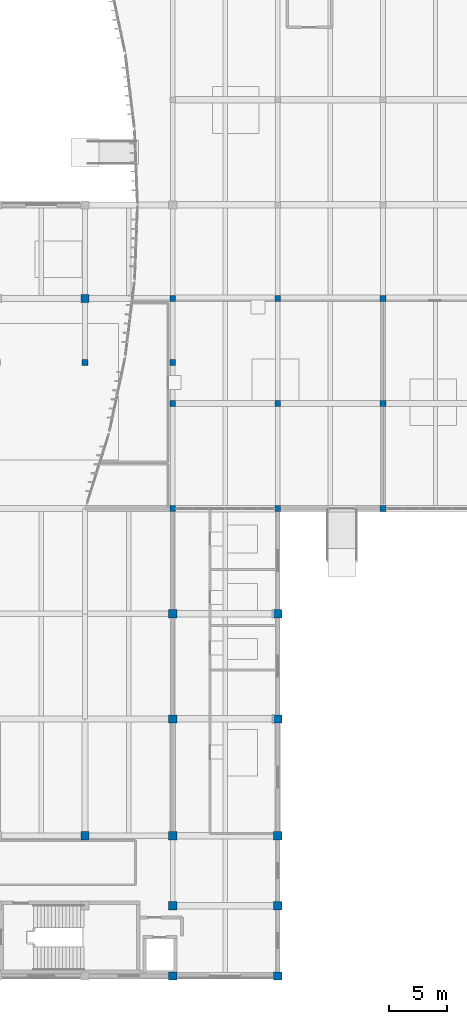
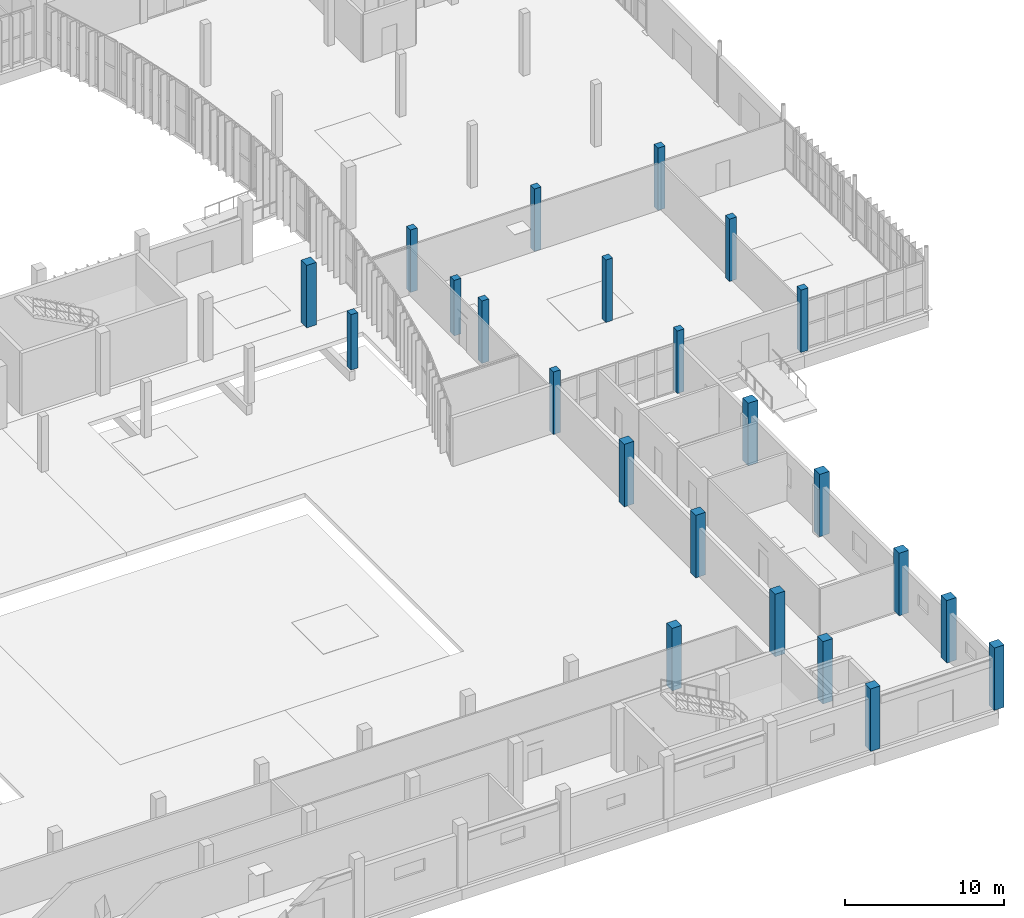
# One storey, part 2 of 72: 23 columns.
"""IFC4 building model written with IfcOpenShell, lengths in metres."""

from ifc_helpers import new_model, si_unit, direction, frame, origin, origin_2d, place, context, subcontext, project, spatial, rectangle, extrude, material, material_profile, profile_set, type_object, element, save


model = new_model("IFC4")

# Units and contexts
model_context = context("Model", 3, precision=1e-05, world=origin(), true_north=direction((0.0, 1.0)))
body_context = subcontext(model_context, "Body", "Model", "MODEL_VIEW")
ifc_project = project(units=[si_unit("LENGTHUNIT", "METRE"), si_unit("AREAUNIT", "SQUARE_METRE"), si_unit("VOLUMEUNIT", "CUBIC_METRE"), si_unit("PLANEANGLEUNIT", "RADIAN"), si_unit("MASSUNIT", "GRAM", prefix="KILO")], contexts=[model_context])

# Site, building, storey
site_placement = place(None, origin())
site = spatial("IfcSite", under=ifc_project, at=site_placement, CompositionType="ELEMENT")
building_placement = place(site_placement, origin())
building = spatial("IfcBuilding", under=site, at=building_placement, Name="Vourika Railside Aquatics Centre", CompositionType="ELEMENT")
storey_placement = place(building_placement, origin())
storey = spatial("IfcBuildingStorey", under=building, at=storey_placement, Name="L00", CompositionType="ELEMENT", Elevation=0.0)

# Columns
ifc_material_1 = material(Name="Concrete C35/45", Category="concrete")
ifc_material_profile_1 = material_profile(ifc_material_1, rectangle(XDim=0.5, YDim=0.5, at=origin_2d()), Name="RC 500x500")
ifc_profile_set_1 = profile_set([ifc_material_profile_1], Name="Concrete C35/45")
column_type_1 = type_object("IfcColumnType", Name="COL-RC500", PredefinedType="COLUMN", material=ifc_profile_set_1)
for number, where, z_axis, x_axis, name in (
    (1, (141.0, 40.0, 0.0), (0.0, 0.0, 1.0), (1.0, 0.0, 0.0), "Column col:L00:1410_400"),
    (2, (141.0, 49.0, 0.0), (0.0, 0.0, 1.0), (1.0, 0.0, 0.0), "Column col:L00:1410_490"),
    (3, (141.0, 58.0, 0.0), (0.0, 0.0, 1.0), (1.0, 0.0, 0.0), "Column col:L00:1410_580"),
    (4, (150.0, 40.0, 0.0), (0.0, 0.0, 1.0), (1.0, 0.0, 0.0), "Column col:L00:1500_400"),
    (5, (150.0, 49.0, 0.0), (0.0, 0.0, 1.0), (1.0, 0.0, 0.0), "Column col:L00:1500_490"),
    (6, (150.0, 58.0, 0.0), (0.0, 0.0, 1.0), (1.0, 0.0, 0.0), "Column col:L00:1500_580"),
    (7, (159.0, 40.0, 0.0), (0.0, 0.0, 1.0), (1.0, 0.0, 0.0), "Column col:L00:1590_400"),
    (8, (159.0, 49.0, 0.0), (0.0, 0.0, 1.0), (1.0, 0.0, 0.0), "Column col:L00:1590_490"),
    (9, (159.0, 58.0, 0.0), (0.0, 0.0, 1.0), (1.0, 0.0, 0.0), "Column col:L00:1590_580"),
):
    element("IfcColumn", number, at=place(storey_placement, frame(where, z_axis=z_axis, x_axis=x_axis)), inside=storey, type_object=column_type_1, Name=name, PredefinedType="COLUMN", context=body_context, shape_type="SweptSolid", body=[
        extrude(rectangle(XDim=0.5, YDim=0.5, at=origin_2d()), origin(), (0.0, 0.0, 1.0), 4.800048828125),
    ])
for number, where, z_axis, x_axis, name in (
    (10, (133.5, 52.5, 0.0), (0.0, 0.0, 1.0), (1.0, 0.0, 0.0), "Grandstand Front Pier 133.5"),
    (11, (141.0, 52.5, 0.0), (0.0, 0.0, 1.0), (1.0, 0.0, 0.0), "Grandstand Front Pier 141.0"),
):
    element("IfcColumn", number, at=place(storey_placement, frame(where, z_axis=z_axis, x_axis=x_axis)), inside=storey, type_object=column_type_1, Name=name, PredefinedType="COLUMN", context=body_context, shape_type="SweptSolid", body=[
        extrude(rectangle(XDim=0.5, YDim=0.5, at=origin_2d()), origin(), (0.0, 0.0, 1.0), 4.260009765625),
    ])
ifc_material_2 = material(Name="Concrete C40/50", Category="concrete")
ifc_material_profile_2 = material_profile(ifc_material_2, rectangle(XDim=0.699951171875, YDim=0.699951171875, at=origin_2d()), Name="RC 700x700")
ifc_profile_set_2 = profile_set([ifc_material_profile_2], Name="Concrete C40/50")
column_type_2 = type_object("IfcColumnType", Name="COL-RC700", PredefinedType="COLUMN", material=ifc_profile_set_2)
for number, where, z_axis, x_axis, name in (
    (12, (133.5, 12.0, 0.0), (0.0, 0.0, 1.0), (1.0, 0.0, 0.0), "Column col:L00:1335_120"),
    (13, (133.5, 58.0, 0.0), (0.0, 0.0, 1.0), (1.0, 0.0, 0.0), "Column col:L00:1335_580"),
    (14, (141.0, 0.0, 0.0), (0.0, 0.0, 1.0), (1.0, 0.0, 0.0), "Column col:L00:1410_0"),
    (15, (141.0, 6.0, 0.0), (0.0, 0.0, 1.0), (1.0, 0.0, 0.0), "Column col:L00:1410_60"),
    (16, (141.0, 12.0, 0.0), (0.0, 0.0, 1.0), (1.0, 0.0, 0.0), "Column col:L00:1410_120"),
    (17, (141.0, 22.0, 0.0), (0.0, 0.0, 1.0), (1.0, 0.0, 0.0), "Column col:L00:1410_220"),
    (18, (141.0, 31.0, 0.0), (0.0, 0.0, 1.0), (1.0, 0.0, 0.0), "Column col:L00:1410_310"),
    (19, (150.0, 0.0, 0.0), (0.0, 0.0, 1.0), (1.0, 0.0, 0.0), "Column col:L00:1500_0"),
    (20, (150.0, 6.0, 0.0), (0.0, 0.0, 1.0), (1.0, 0.0, 0.0), "Column col:L00:1500_60"),
    (21, (150.0, 12.0, 0.0), (0.0, 0.0, 1.0), (1.0, 0.0, 0.0), "Column col:L00:1500_120"),
    (22, (150.0, 22.0, 0.0), (0.0, 0.0, 1.0), (1.0, 0.0, 0.0), "Column col:L00:1500_220"),
    (23, (150.0, 31.0, 0.0), (0.0, 0.0, 1.0), (1.0, 0.0, 0.0), "Column col:L00:1500_310"),
):
    element("IfcColumn", number, at=place(storey_placement, frame(where, z_axis=z_axis, x_axis=x_axis)), inside=storey, type_object=column_type_2, Name=name, PredefinedType="COLUMN", context=body_context, shape_type="SweptSolid", body=[
        extrude(rectangle(XDim=0.699951171875, YDim=0.699951171875, at=origin_2d()), origin(), (0.0, 0.0, 1.0), 4.800048828125),
    ])

save(model, "model.ifc")
